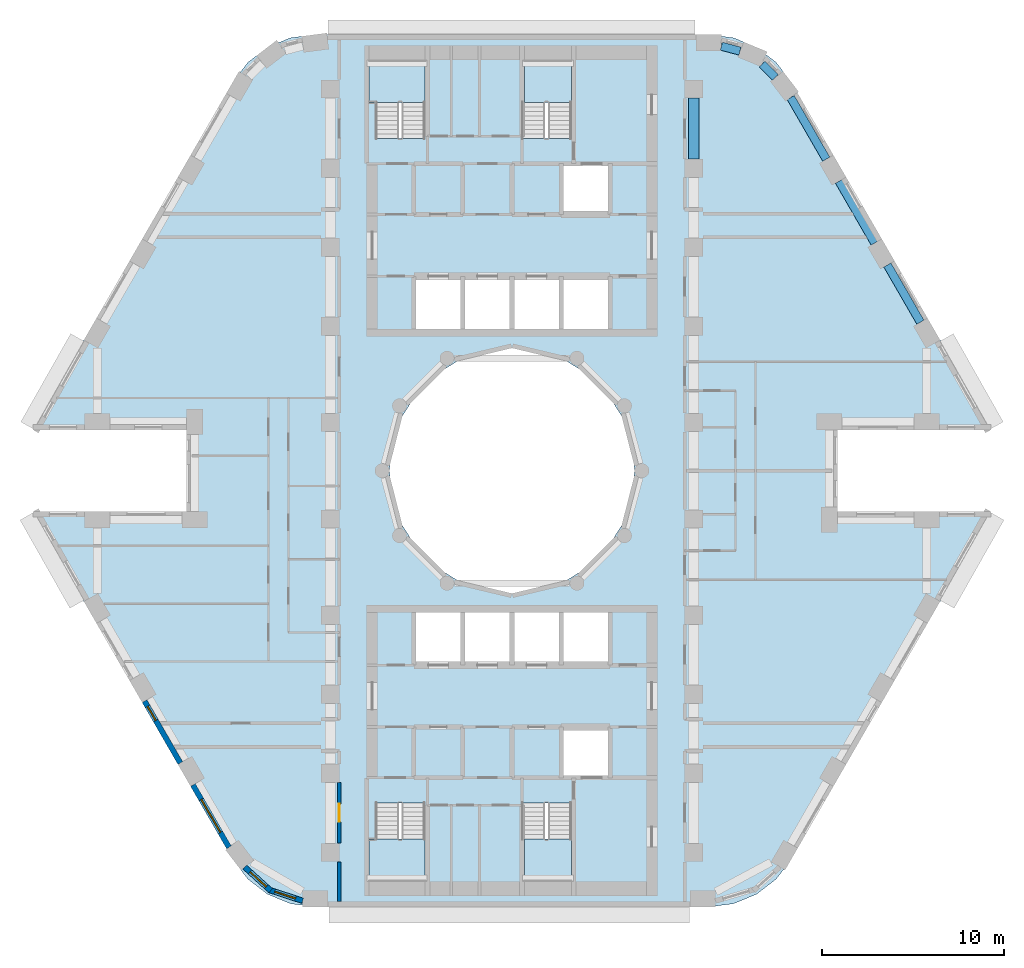
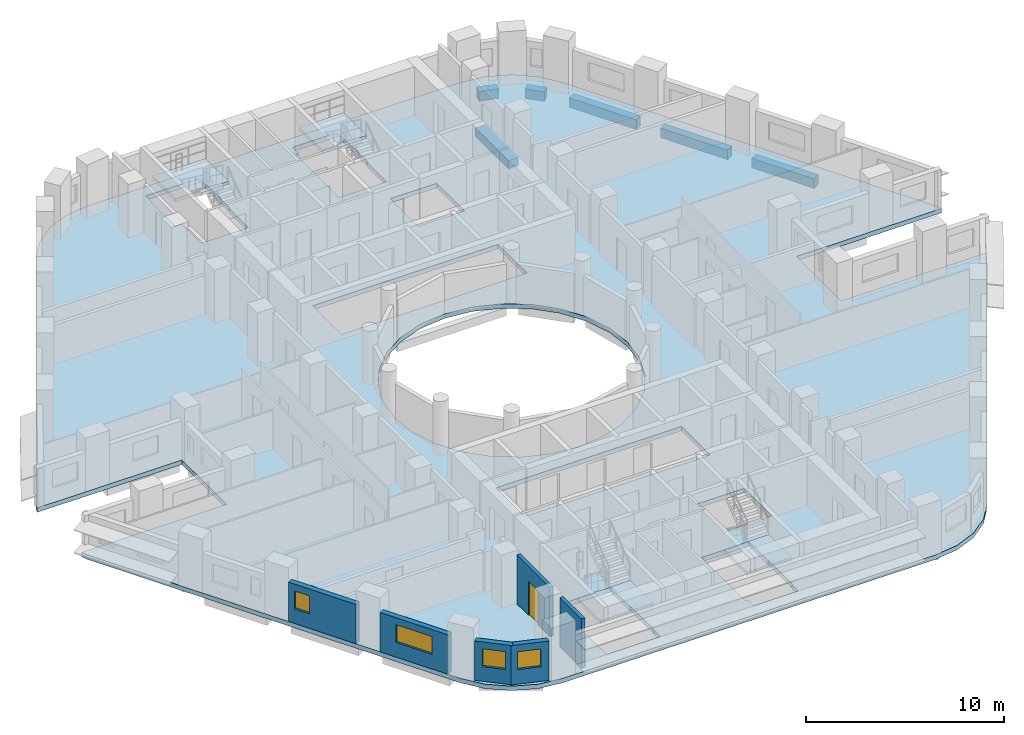
# One storey, part 2 of 12: 6 beams, 6 walls, 5 slabs, 4 windows, 1 door, 5 openings, 4 elements without a shape of their own.
"""IFC4 building model written with IfcOpenShell, lengths in metres."""

from ifc_helpers import new_model, si_unit, direction, frame, frame_2d, origin, origin_2d, place, context, subcontext, project, spatial, polyline, rectangle, outline, extrude, material, layer, layer_set, material_profile, profile_set, type_object, element, fill, aggregate, save


model = new_model("IFC4")

# Units and contexts
model_context = context("Model", 3, precision=1e-05, world=origin(), true_north=direction((0.0, 1.0)))
body_context = subcontext(model_context, "Body", "Model", "MODEL_VIEW")
ifc_project = project(units=[si_unit("LENGTHUNIT", "METRE"), si_unit("AREAUNIT", "SQUARE_METRE"), si_unit("VOLUMEUNIT", "CUBIC_METRE"), si_unit("PLANEANGLEUNIT", "RADIAN"), si_unit("MASSUNIT", "GRAM", prefix="KILO")], contexts=[model_context])

# Site, building, storey
site_placement = place(None, origin())
site = spatial("IfcSite", under=ifc_project, at=site_placement, CompositionType="ELEMENT")
building_placement = place(site_placement, origin())
building = spatial("IfcBuilding", under=site, at=building_placement, Name="Nakaniwa Court", CompositionType="ELEMENT")
storey_placement = place(building_placement, frame((0.0, 0.0, 87.60009765625)))
storey = spatial("IfcBuildingStorey", under=building, at=storey_placement, Name="L22", CompositionType="ELEMENT", Elevation=87.60009765625)

# Beams
ifc_material_1 = material(Name="Concrete C80/100", Category="concrete")
ifc_material_profile_1 = material_profile(ifc_material_1, rectangle(XDim=0.449951171875, YDim=0.60009765625, at=origin_2d()), Name="Concrete C80/100 RC 450x600 spandrel beam")
ifc_profile_set_1 = profile_set([ifc_material_profile_1], Name="Concrete C80/100")
beam_type_1 = type_object("IfcBeamType", Name="Concrete C80/100 RC 450x600 spandrel beam", PredefinedType="BEAM", material=ifc_profile_set_1)
beam_1_placement = place(storey_placement, frame((102.472900390625, 88.17578125, -0.5751953125), z_axis=(-0.499988394233, 0.866032104273, 0.0), x_axis=(-0.866032104273, -0.499988394233, 0.0)))
element("IfcBeam", 1, at=beam_1_placement, inside=storey, type_object=beam_type_1, Name="SPANDREL BEAM", PredefinedType="BEAM", context=body_context, shape_type="SweptSolid", body=[
    extrude(rectangle(XDim=0.449951171875, YDim=0.60009765625, at=origin_2d()), origin(), (0.0, 0.0, 1.0), 3.62890625),
])
beam_2_placement = place(storey_placement, frame((99.95849609375, 92.531005859375, -0.5751953125), z_axis=(-0.49999161165, 0.866030246746, 0.0), x_axis=(-0.866030246746, -0.49999161165, 0.0)))
element("IfcBeam", 2, at=beam_2_placement, inside=storey, type_object=beam_type_1, Name="SPANDREL BEAM", PredefinedType="BEAM", context=body_context, shape_type="SweptSolid", body=[
    extrude(rectangle(XDim=0.449951171875, YDim=0.60009765625, at=origin_2d()), origin(), (0.0, 0.0, 1.0), 3.92578125),
])
beam_3_placement = place(storey_placement, frame((97.29541015625, 97.143310546875, -0.5751953125), z_axis=(-0.499997407846, 0.86602690036, 0.0), x_axis=(-0.86602690036, -0.499997407846, 0.0)))
element("IfcBeam", 3, at=beam_3_placement, inside=storey, type_object=beam_type_1, Name="SPANDREL BEAM", PredefinedType="BEAM", context=body_context, shape_type="SweptSolid", body=[
    extrude(rectangle(XDim=0.449951171875, YDim=0.60009765625, at=origin_2d()), origin(), (0.0, 0.0, 1.0), 3.919921875),
])
beam_4_placement = place(storey_placement, frame((94.484130859375, 101.6494140625, -0.5751953125), z_axis=(-0.705911336947, 0.7083002078, 0.0), x_axis=(-0.7083002078, -0.705911336947, 0.0)))
element("IfcBeam", 4, at=beam_4_placement, inside=storey, type_object=beam_type_1, Name="SPANDREL BEAM", PredefinedType="BEAM", context=body_context, shape_type="SweptSolid", body=[
    extrude(rectangle(XDim=0.449951171875, YDim=0.60009765625, at=origin_2d()), origin(), (0.0, 0.0, 1.0), 1.02197265625),
])
beam_5_placement = place(storey_placement, frame((92.544921875, 103.091796875, -0.5751953125), z_axis=(-0.966315487466, 0.257360406209, 0.0), x_axis=(-0.257360406209, -0.966315487466, 0.0)))
element("IfcBeam", 5, at=beam_5_placement, inside=storey, type_object=beam_type_1, Name="SPANDREL BEAM", PredefinedType="BEAM", context=body_context, shape_type="SweptSolid", body=[
    extrude(rectangle(XDim=0.449951171875, YDim=0.60009765625, at=origin_2d()), origin(), (0.0, 0.0, 1.0), 1.055908203125),
])
ifc_material_profile_2 = material_profile(ifc_material_1, rectangle(XDim=0.60009765625, YDim=0.5, at=origin_2d()), Name="Concrete C80/100 RC 600x500 ring beam")
ifc_profile_set_2 = profile_set([ifc_material_profile_2], Name="Concrete C80/100")
beam_type_2 = type_object("IfcBeamType", Name="Concrete C80/100 RC 600x500 ring beam", PredefinedType="BEAM", material=ifc_profile_set_2)
beam_6_placement = place(storey_placement, frame((90.0, 97.14990234375, -0.525146484375), z_axis=(0.0, 1.0, 0.0), x_axis=(-1.0, 0.0, 0.0)))
element("IfcBeam", 6, at=beam_6_placement, inside=storey, type_object=beam_type_2, Name="RING BEAM", PredefinedType="BEAM", context=body_context, shape_type="SweptSolid", body=[
    extrude(rectangle(XDim=0.60009765625, YDim=0.5, at=origin_2d()), origin(), (0.0, 0.0, 1.0), 3.35009765625),
])

# Slab
ifc_layer_1 = layer(ifc_material_1, 0.27490234375)
ifc_layer_set_1 = layer_set([ifc_layer_1], Name="Concrete C80/100")
slab_type_1 = type_object("IfcSlabType", Name="Concrete C80/100 post tensioned floor slab 275", PredefinedType="FLOOR", material=ifc_layer_set_1)
slab_1_placement = place(storey_placement, frame((0.0, 0.0, -0.275146484375)))
element("IfcSlab", 7, at=slab_1_placement, inside=storey, type_object=slab_type_1, Name="FLOOR SLAB", PredefinedType="FLOOR", context=body_context, shape_type="SweptSolid", body=[
    extrude(outline(polyline([(97.908447265625, 82.25), (106.356689453125, 82.25), (106.211669921875, 82.60009765625), (95.357421875, 101.39990234375), (94.531005859375, 102.47705078125), (93.4541015625, 103.30322265625), (92.199951171875, 103.82275390625), (90.854248046875, 104.0), (69.145751953125, 104.0), (67.800048828125, 103.82275390625), (66.5458984375, 103.30322265625), (65.468994140625, 102.47705078125), (64.642578125, 101.39990234375), (53.788330078125, 82.60009765625), (53.643310546875, 82.25), (62.091552734375, 82.25), (62.091552734375, 77.75), (53.643310546875, 77.75), (53.788330078125, 77.39990234375), (64.642578125, 58.60009765625), (65.468994140625, 57.52294921875), (66.5458984375, 56.69677734375), (67.800048828125, 56.17724609375), (69.145751953125, 56.0), (90.854248046875, 56.0), (92.199951171875, 56.17724609375), (93.4541015625, 56.69677734375), (94.531005859375, 57.52294921875), (95.357421875, 58.60009765625), (106.211669921875, 77.39990234375), (106.356689453125, 77.75), (97.908447265625, 77.75), (97.908447265625, 82.25)]), holes=[polyline([(81.501953125, 86.580810546875), (80.0, 86.75), (78.498046875, 86.580810546875), (77.0712890625, 86.08154296875), (75.79150390625, 85.27734375), (74.72265625, 84.20849609375), (73.91845703125, 82.9287109375), (73.419189453125, 81.501953125), (73.25, 80.0), (73.419189453125, 78.498046875), (73.91845703125, 77.0712890625), (74.72265625, 75.79150390625), (75.79150390625, 74.72265625), (77.0712890625, 73.91845703125), (78.498046875, 73.419189453125), (80.0, 73.25), (81.501953125, 73.419189453125), (82.9287109375, 73.91845703125), (84.20849609375, 74.72265625), (85.27734375, 75.79150390625), (86.08154296875, 77.0712890625), (86.580810546875, 78.498046875), (86.75, 80.0), (86.580810546875, 81.501953125), (86.08154296875, 82.9287109375), (85.27734375, 84.20849609375), (84.20849609375, 85.27734375), (82.9287109375, 86.08154296875), (81.501953125, 86.580810546875)]), polyline([(75.264892578125, 57.360107421875), (75.264892578125, 59.764892578125), (75.22509765625, 59.764892578125), (75.22509765625, 61.7099609375), (72.47509765625, 61.7099609375), (72.47509765625, 59.764892578125), (72.0849609375, 59.764892578125), (72.0849609375, 57.360107421875), (72.125, 57.360107421875), (72.125, 56.72509765625), (75.22509765625, 56.72509765625), (75.22509765625, 57.324951171875), (75.22509765625, 57.360107421875), (75.264892578125, 57.360107421875)]), polyline([(80.0, 69.300048828125), (82.699951171875, 69.300048828125), (85.39990234375, 69.300048828125), (85.39990234375, 72.199951171875), (82.699951171875, 72.199951171875), (80.0, 72.199951171875), (77.300048828125, 72.199951171875), (74.60009765625, 72.199951171875), (74.60009765625, 69.300048828125), (77.300048828125, 69.300048828125), (80.0, 69.300048828125)]), polyline([(80.0, 87.800048828125), (82.699951171875, 87.800048828125), (85.39990234375, 87.800048828125), (85.39990234375, 90.699951171875), (82.699951171875, 90.699951171875), (80.0, 90.699951171875), (77.300048828125, 90.699951171875), (74.60009765625, 90.699951171875), (74.60009765625, 87.800048828125), (77.300048828125, 87.800048828125), (80.0, 87.800048828125)]), polyline([(75.264892578125, 100.235107421875), (75.264892578125, 102.639892578125), (75.22509765625, 102.639892578125), (75.22509765625, 102.675048828125), (75.22509765625, 103.27490234375), (72.125, 103.27490234375), (72.125, 102.639892578125), (72.0849609375, 102.639892578125), (72.0849609375, 100.235107421875), (72.47509765625, 100.235107421875), (72.47509765625, 98.2900390625), (75.22509765625, 98.2900390625), (75.22509765625, 100.235107421875), (75.264892578125, 100.235107421875)]), polyline([(83.27490234375, 61.7099609375), (80.52490234375, 61.7099609375), (80.52490234375, 57.324951171875), (80.675048828125, 57.324951171875), (80.675048828125, 56.72509765625), (83.27490234375, 56.72509765625), (83.27490234375, 57.324951171875), (83.27490234375, 57.360107421875), (83.31494140625, 57.360107421875), (83.31494140625, 59.764892578125), (83.27490234375, 59.764892578125), (83.27490234375, 61.7099609375)]), polyline([(85.39990234375, 65.89990234375), (82.699951171875, 65.89990234375), (82.699951171875, 63.10009765625), (85.39990234375, 63.10009765625), (85.39990234375, 65.89990234375)]), polyline([(85.39990234375, 96.89990234375), (82.699951171875, 96.89990234375), (82.699951171875, 94.10009765625), (85.39990234375, 94.10009765625), (85.39990234375, 96.89990234375)]), polyline([(83.27490234375, 100.235107421875), (83.31494140625, 100.235107421875), (83.31494140625, 102.639892578125), (83.27490234375, 102.639892578125), (83.27490234375, 102.675048828125), (83.27490234375, 103.27490234375), (80.675048828125, 103.27490234375), (80.675048828125, 102.675048828125), (80.52490234375, 102.675048828125), (80.52490234375, 98.2900390625), (83.27490234375, 98.2900390625), (83.27490234375, 100.235107421875)])]), origin(), (0.0, 0.0, 1.0), 0.275146484375),
])

# Stair, slab
stair_type = type_object("IfcStairType", Name="Dog leg stair 1300 wide 18 risers", PredefinedType="HALF_TURN_STAIR", material=ifc_material_1)
stair_1_placement = place(storey_placement, origin())
stair_1 = element("IfcStair", 8, at=stair_1_placement, inside=storey, type_object=stair_type, Name="L22 Stair ST1", PredefinedType="HALF_TURN_STAIR")
ifc_layer_2 = layer(ifc_material_1, 0.199951171875)
ifc_layer_set_2 = layer_set([ifc_layer_2], Name="Concrete C80/100")
slab_type_2 = type_object("IfcSlabType", Name="Stair landing concrete", PredefinedType="LANDING", material=ifc_layer_set_2)
slab_2_placement = place(storey_placement, frame((0.0, 0.0, 1.449951171875)))
slab_2 = element("IfcSlab", 9, at=slab_2_placement, type_object=slab_type_2, Name="ST1 landing 1", PredefinedType="LANDING", context=body_context, shape_type="SweptSolid", body=[
    extrude(outline(polyline([(75.22509765625, 100.27490234375), (75.22509765625, 102.60009765625), (72.125, 102.60009765625), (72.125, 100.27490234375), (75.22509765625, 100.27490234375)])), origin(), (0.0, 0.0, 1.0), 0.199951171875),
])
aggregate(stair_1, [slab_2])

stair_2_placement = place(storey_placement, origin())
stair_2 = element("IfcStair", 10, at=stair_2_placement, inside=storey, type_object=stair_type, Name="L22 Stair ST2", PredefinedType="HALF_TURN_STAIR")
slab_3_placement = place(storey_placement, frame((0.0, 0.0, 1.449951171875)))
slab_3 = element("IfcSlab", 11, at=slab_3_placement, type_object=slab_type_2, Name="ST2 landing 1", PredefinedType="LANDING", context=body_context, shape_type="SweptSolid", body=[
    extrude(outline(polyline([(83.27490234375, 100.27490234375), (83.27490234375, 102.60009765625), (80.675048828125, 102.60009765625), (80.675048828125, 100.27490234375), (83.27490234375, 100.27490234375)])), origin(), (0.0, 0.0, 1.0), 0.199951171875),
])
aggregate(stair_2, [slab_3])

stair_3_placement = place(storey_placement, origin())
stair_3 = element("IfcStair", 12, at=stair_3_placement, inside=storey, type_object=stair_type, Name="L22 Stair ST3", PredefinedType="HALF_TURN_STAIR")
slab_4_placement = place(storey_placement, frame((0.0, 0.0, 1.449951171875)))
slab_4 = element("IfcSlab", 13, at=slab_4_placement, type_object=slab_type_2, Name="ST3 landing 1", PredefinedType="LANDING", context=body_context, shape_type="SweptSolid", body=[
    extrude(outline(polyline([(75.22509765625, 57.39990234375), (75.22509765625, 59.72509765625), (72.125, 59.72509765625), (72.125, 57.39990234375), (75.22509765625, 57.39990234375)])), origin(), (0.0, 0.0, 1.0), 0.199951171875),
])
aggregate(stair_3, [slab_4])

stair_4_placement = place(storey_placement, origin())
stair_4 = element("IfcStair", 14, at=stair_4_placement, inside=storey, type_object=stair_type, Name="L22 Stair ST4", PredefinedType="HALF_TURN_STAIR")
slab_5_placement = place(storey_placement, frame((0.0, 0.0, 1.449951171875)))
slab_5 = element("IfcSlab", 15, at=slab_5_placement, type_object=slab_type_2, Name="ST4 landing 1", PredefinedType="LANDING", context=body_context, shape_type="SweptSolid", body=[
    extrude(outline(polyline([(83.27490234375, 57.39990234375), (83.27490234375, 59.72509765625), (80.675048828125, 59.72509765625), (80.675048828125, 57.39990234375), (83.27490234375, 57.39990234375)])), origin(), (0.0, 0.0, 1.0), 0.199951171875),
])
aggregate(stair_4, [slab_5])

# Wall
ifc_material_2 = material(Name="Acoustic double stud partition")
ifc_layer_3 = layer(ifc_material_2, 0.199951171875)
ifc_layer_set_3 = layer_set([ifc_layer_3], Name="Acoustic double stud partition")
wall_type_1 = type_object("IfcWallType", Name="Acoustic double stud partition 200", PredefinedType="PARTITIONING", material=ifc_layer_set_3)
wall_1_placement = place(storey_placement, frame((70.5, 56.300048828125, 0.0), z_axis=(0.0, 0.0, 1.0), x_axis=(0.0, 1.0, 0.0)))
element("IfcWall", 16, at=wall_1_placement, inside=storey, type_object=wall_type_1, Name="Partition PW-095", PredefinedType="PARTITIONING", context=body_context, shape_type="SweptSolid", body=[
    extrude(rectangle(XDim=2.182861328125, YDim=0.199951171875, at=frame_2d((1.09130859375, 0.0))), origin(), (0.0, 0.0, 1.0), 3.02490234375),
])

# Wall, opening, door
wall_2_placement = place(storey_placement, frame((70.5, 59.51708984375, 0.0), z_axis=(0.0, 0.0, 1.0), x_axis=(0.0, 1.0, 0.0)))
wall_2 = element("IfcWall", 17, at=wall_2_placement, inside=storey, type_object=wall_type_1, Name="Partition PW-096", PredefinedType="PARTITIONING", context=body_context, shape_type="SweptSolid", body=[
    extrude(rectangle(XDim=3.31591796875, YDim=0.199951171875, at=frame_2d((1.657958984375, 0.0))), origin(), (0.0, 0.0, 1.0), 3.02490234375),
])
opening_1_placement = place(wall_2_placement, frame((1.157958984375, 0.0, 0.0)))
opening_1 = element("IfcOpeningElement", 18, at=opening_1_placement, cuts=wall_2, Name="Opening D-02-04", PredefinedType="OPENING", context=body_context, shape_type="SweptSolid", body=[
    extrude(rectangle(XDim=1.0, YDim=2.10009765625, at=frame_2d((0.5, 1.050048828125))), frame((0.0, 0.10986328125, 0.0), z_axis=(0.0, -1.0, 0.0), x_axis=(1.0, 0.0, 0.0)), (0.0, 0.0, 1.0), 0.219970703125),
])
ifc_material_3 = material(Name="Solid core timber door set, black veneer", Category="wood")
door_type = type_object("IfcDoorType", Name="Internal door 1000", OperationType="NOTDEFINED", PredefinedType="DOOR", material=ifc_material_3)
door_placement = place(opening_1_placement, origin())
door = element("IfcDoor", 19, at=door_placement, inside=storey, type_object=door_type, Name="Door D-02-04 L22-038", OperationType="SINGLE_SWING_LEFT", OverallHeight=2.10009765625, OverallWidth=1.0, PredefinedType="DOOR", context=body_context, shape_type="SweptSolid", body=[
    extrude(rectangle(XDim=1.0, YDim=2.10009765625, at=frame_2d((0.5, 1.050048828125))), frame((0.0, 0.02490234375, 0.0), z_axis=(0.0, -1.0, 0.0), x_axis=(1.0, 0.0, 0.0)), (0.0, 0.0, 1.0), 0.050048828125),
])
fill(opening_1, door)

# Wall, opening, window
ifc_material_4 = material(Name="Charcoal ceramic cladding")
ifc_layer_4 = layer(ifc_material_4, 0.02, Name="Ceramic cladding")
ifc_material_5 = material(Name="Ventilated air cavity")
ifc_layer_5 = layer(ifc_material_5, 0.04, ventilated=True, Name="Ventilated cavity")
ifc_material_6 = material(Name="Mineral wool insulation")
ifc_layer_6 = layer(ifc_material_6, 0.1, Name="Insulation")
ifc_material_7 = material(Name="Cement bonded sheathing board")
ifc_layer_7 = layer(ifc_material_7, 0.012, Name="Sheathing")
ifc_material_8 = material(Name="Cold-formed galvanised stud frame with mineral wool infill")
ifc_layer_8 = layer(ifc_material_8, 0.1, Name="Stud frame")
ifc_material_9 = material(Name="Fire-rated gypsum plasterboard lining")
ifc_layer_9 = layer(ifc_material_9, 0.028, Name="Lining")
ifc_layer_set_4 = layer_set([ifc_layer_4, ifc_layer_5, ifc_layer_6, ifc_layer_7, ifc_layer_8, ifc_layer_9], Name="Charcoal ceramic faced external wall system")
wall_type_2 = type_object("IfcWallType", Name="Black ceramic faced external wall 300", PredefinedType="SOLIDWALL", material=ifc_layer_set_4)
wall_3_placement = place(storey_placement, frame((59.77978515625, 67.322509765625, 0.0), z_axis=(0.0, 0.0, 1.0), x_axis=(0.499957037901, -0.866050206543, 0.0)))
wall_3 = element("IfcWall", 20, at=wall_3_placement, inside=storey, type_object=wall_type_2, Name="L22 external wall 22", PredefinedType="SOLIDWALL", context=body_context, shape_type="SweptSolid", body=[
    extrude(rectangle(XDim=3.933837890625, YDim=0.300048828125, at=frame_2d((1.966796875, 0.0))), origin(), (0.0, 0.0, 1.0), 2.4248046875),
])
opening_2_placement = place(wall_3_placement, frame((0.329833984375, 0.0, 0.89990234375)))
opening_2 = element("IfcOpeningElement", 21, at=opening_2_placement, cuts=wall_3, Name="Opening W9.27", PredefinedType="OPENING", context=body_context, shape_type="SweptSolid", body=[
    extrude(rectangle(XDim=0.89990234375, YDim=1.10009765625, at=frame_2d((0.449951171875, 0.550048828125))), frame((0.0, 0.159912109375, 0.0), z_axis=(0.0, -1.0, 0.0), x_axis=(1.0, 0.0, 0.0)), (0.0, 0.0, 1.0), 0.320068359375),
])
ifc_material_10 = material(Name="Black anodised aluminium frame with dark low-E laminated double glazing", Category="aluminium")
window_type_1 = type_object("IfcWindowType", Name="Dark glass window 900x1100 sill 900", PartitioningType="SINGLE_PANEL", PredefinedType="WINDOW", material=ifc_material_10)
window_1_placement = place(opening_2_placement, origin())
window_1 = element("IfcWindow", 22, at=window_1_placement, inside=storey, type_object=window_type_1, Name="L22 habitable room window 22-0", OverallHeight=1.10009765625, OverallWidth=0.89990234375, PartitioningType="SINGLE_PANEL", PredefinedType="WINDOW", context=body_context, shape_type="SweptSolid", body=[
    extrude(rectangle(XDim=0.89990234375, YDim=1.10009765625, at=frame_2d((0.449951171875, 0.550048828125))), frame((0.0, 0.030029296875, 0.0), z_axis=(0.0, -1.0, 0.0), x_axis=(1.0, 0.0, 0.0)), (0.0, 0.0, 1.0), 0.06005859375),
])
fill(opening_2, window_1)

wall_4_placement = place(storey_placement, frame((62.442626953125, 62.710205078125, 0.0), z_axis=(0.0, 0.0, 1.0), x_axis=(0.500043828347, -0.866000097998, 0.0)))
wall_4 = element("IfcWall", 23, at=wall_4_placement, inside=storey, type_object=wall_type_2, Name="L22 external wall 23", PredefinedType="SOLIDWALL", context=body_context, shape_type="SweptSolid", body=[
    extrude(rectangle(XDim=3.967529296875, YDim=0.300048828125, at=frame_2d((1.98388671875, 0.0))), origin(), (0.0, 0.0, 1.0), 2.4248046875),
])
opening_3_placement = place(wall_4_placement, frame((0.92236328125, 0.0, 0.89990234375)))
opening_3 = element("IfcOpeningElement", 24, at=opening_3_placement, cuts=wall_4, Name="Opening W7.28", PredefinedType="OPENING", context=body_context, shape_type="SweptSolid", body=[
    extrude(rectangle(XDim=2.10009765625, YDim=1.10009765625, at=frame_2d((1.050048828125, 0.550048828125))), frame((0.0, 0.159912109375, 0.0), z_axis=(0.0, -1.0, 0.0), x_axis=(1.0, 0.0, 0.0)), (0.0, 0.0, 1.0), 0.320068359375),
])
window_type_2 = type_object("IfcWindowType", Name="Dark glass window 2100x1100 sill 900", PartitioningType="SINGLE_PANEL", PredefinedType="WINDOW", material=ifc_material_10)
window_2_placement = place(opening_3_placement, origin())
window_2 = element("IfcWindow", 25, at=window_2_placement, inside=storey, type_object=window_type_2, Name="L22 habitable room window 23-0", OverallHeight=1.10009765625, OverallWidth=2.10009765625, PartitioningType="SINGLE_PANEL", PredefinedType="WINDOW", context=body_context, shape_type="SweptSolid", body=[
    extrude(rectangle(XDim=2.10009765625, YDim=1.10009765625, at=frame_2d((1.050048828125, 0.550048828125))), frame((0.0, 0.030029296875, 0.0), z_axis=(0.0, -1.0, 0.0), x_axis=(1.0, 0.0, 0.0)), (0.0, 0.0, 1.0), 0.06005859375),
])
fill(opening_3, window_2)

wall_5_placement = place(storey_placement, frame((65.294921875, 58.18603515625, 0.0), z_axis=(0.0, 0.0, 1.0), x_axis=(0.740421367382, -0.672142989791, 0.0)))
wall_5 = element("IfcWall", 26, at=wall_5_placement, inside=storey, type_object=wall_type_2, Name="L22 external wall 24", PredefinedType="SOLIDWALL", context=body_context, shape_type="SweptSolid", body=[
    extrude(rectangle(XDim=1.92724609375, YDim=0.300048828125, at=frame_2d((0.963623046875, 0.0))), origin(), (0.0, 0.0, 1.0), 2.4248046875),
])
opening_4_placement = place(wall_5_placement, frame((0.39111328125, 0.0, 0.89990234375)))
opening_4 = element("IfcOpeningElement", 27, at=opening_4_placement, cuts=wall_5, Name="Opening W6.29", PredefinedType="OPENING", context=body_context, shape_type="SweptSolid", body=[
    extrude(rectangle(XDim=1.199951171875, YDim=1.10009765625, at=frame_2d((0.60009765625, 0.550048828125))), frame((0.0, 0.159912109375, 0.0), z_axis=(0.0, -1.0, 0.0), x_axis=(1.0, 0.0, 0.0)), (0.0, 0.0, 1.0), 0.320068359375),
])
window_type_3 = type_object("IfcWindowType", Name="Dark glass window 1200x1100 sill 900", PartitioningType="SINGLE_PANEL", PredefinedType="WINDOW", material=ifc_material_10)
window_3_placement = place(opening_4_placement, origin())
window_3 = element("IfcWindow", 28, at=window_3_placement, inside=storey, type_object=window_type_3, Name="L22 habitable room window 24-0", OverallHeight=1.10009765625, OverallWidth=1.199951171875, PartitioningType="SINGLE_PANEL", PredefinedType="WINDOW", context=body_context, shape_type="SweptSolid", body=[
    extrude(rectangle(XDim=1.199951171875, YDim=1.10009765625, at=frame_2d((0.60009765625, 0.550048828125))), frame((0.0, 0.030029296875, 0.0), z_axis=(0.0, -1.0, 0.0), x_axis=(1.0, 0.0, 0.0)), (0.0, 0.0, 1.0), 0.06005859375),
])
fill(opening_4, window_3)

wall_6_placement = place(storey_placement, frame((66.625, 56.939453125, 0.0), z_axis=(0.0, 0.0, 1.0), x_axis=(0.950777961763, -0.309872985958, 0.0)))
wall_6 = element("IfcWall", 29, at=wall_6_placement, inside=storey, type_object=wall_type_2, Name="L22 external wall 25", PredefinedType="SOLIDWALL", context=body_context, shape_type="SweptSolid", body=[
    extrude(rectangle(XDim=1.949951171875, YDim=0.300048828125, at=frame_2d((0.97509765625, 0.0))), origin(), (0.0, 0.0, 1.0), 2.4248046875),
])
opening_5_placement = place(wall_6_placement, frame((0.334716796875, 0.0, 0.89990234375)))
opening_5 = element("IfcOpeningElement", 30, at=opening_5_placement, cuts=wall_6, Name="Opening W6.30", PredefinedType="OPENING", context=body_context, shape_type="SweptSolid", body=[
    extrude(rectangle(XDim=1.199951171875, YDim=1.10009765625, at=frame_2d((0.60009765625, 0.550048828125))), frame((0.0, 0.159912109375, 0.0), z_axis=(0.0, -1.0, 0.0), x_axis=(1.0, 0.0, 0.0)), (0.0, 0.0, 1.0), 0.320068359375),
])
window_4_placement = place(opening_5_placement, origin())
window_4 = element("IfcWindow", 31, at=window_4_placement, inside=storey, type_object=window_type_3, Name="L22 habitable room window 25-0", OverallHeight=1.10009765625, OverallWidth=1.199951171875, PartitioningType="SINGLE_PANEL", PredefinedType="WINDOW", context=body_context, shape_type="SweptSolid", body=[
    extrude(rectangle(XDim=1.199951171875, YDim=1.10009765625, at=frame_2d((0.60009765625, 0.550048828125))), frame((0.0, 0.030029296875, 0.0), z_axis=(0.0, -1.0, 0.0), x_axis=(1.0, 0.0, 0.0)), (0.0, 0.0, 1.0), 0.06005859375),
])
fill(opening_5, window_4)

save(model, "model.ifc")
